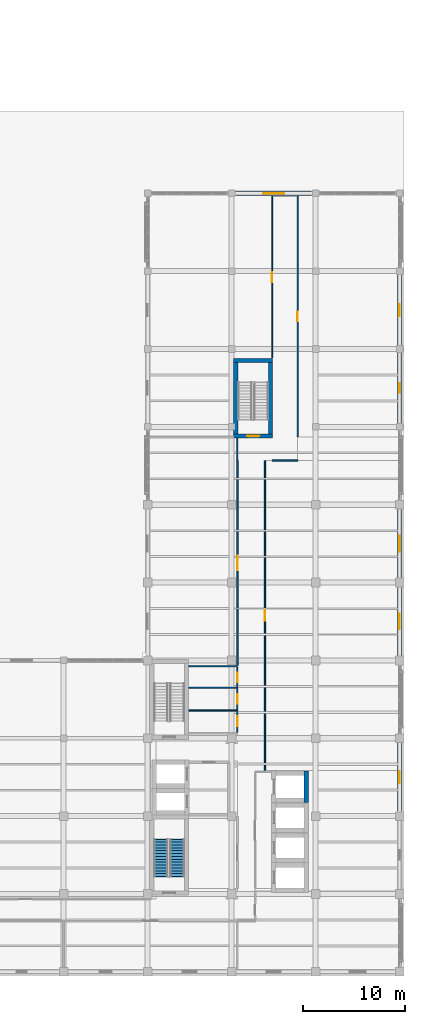
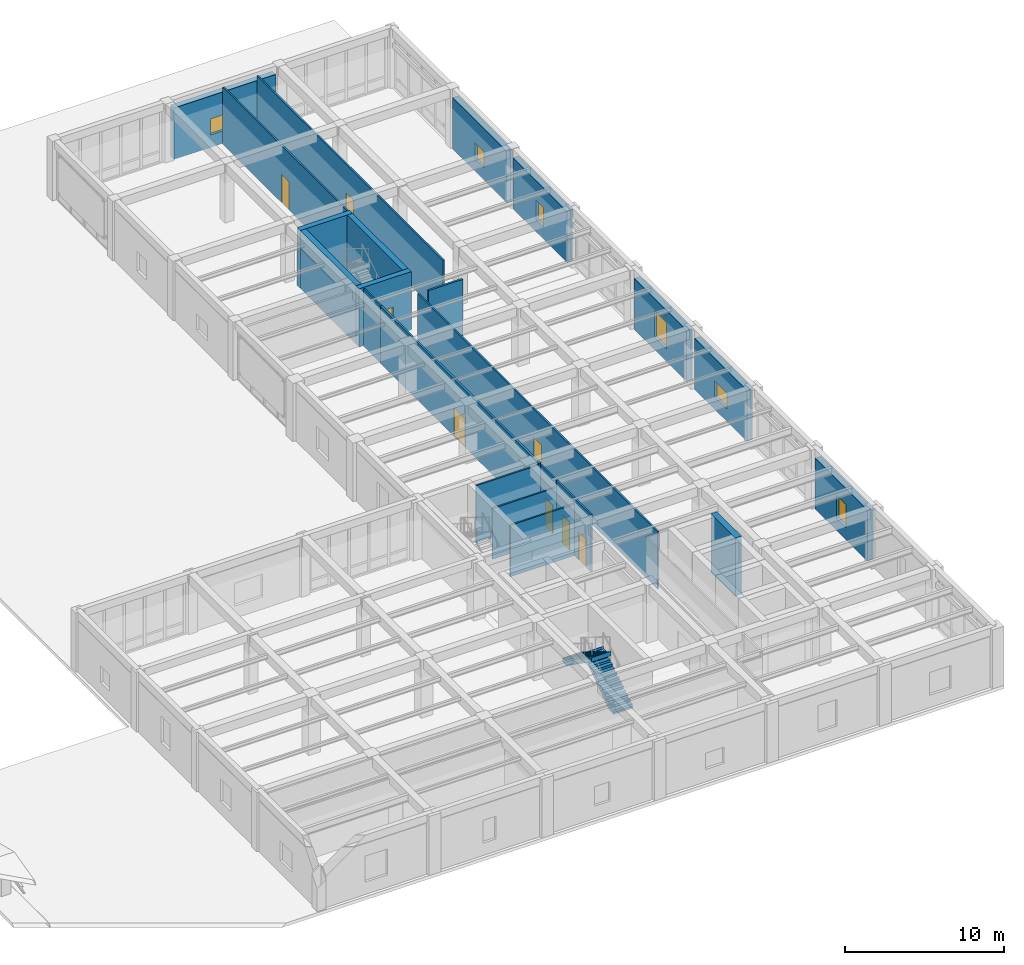
# One storey, part 17 of 23: 23 walls, 8 doors, 6 windows, 2 stair flights, 14 openings, 1 element without a shape of its own.
"""IFC4 building model written with IfcOpenShell, lengths in metres."""

from ifc_helpers import new_model, si_unit, direction, frame, frame_2d, origin, place, context, subcontext, project, spatial, polyline, rectangle, outline, extrude, material, layer, layer_set, type_object, element, fill, aggregate, save


model = new_model("IFC4")

# Units and contexts
model_context = context("Model", 3, precision=1e-05, world=origin(), true_north=direction((0.0, 1.0)))
body_context = subcontext(model_context, "Body", "Model", "MODEL_VIEW")
ifc_project = project(units=[si_unit("LENGTHUNIT", "METRE"), si_unit("AREAUNIT", "SQUARE_METRE"), si_unit("VOLUMEUNIT", "CUBIC_METRE"), si_unit("PLANEANGLEUNIT", "RADIAN"), si_unit("MASSUNIT", "GRAM", prefix="KILO")], contexts=[model_context])

# Site, building, storey
site_placement = place(None, origin())
site = spatial("IfcSite", under=ifc_project, at=site_placement, CompositionType="ELEMENT")
building_placement = place(site_placement, origin())
building = spatial("IfcBuilding", under=site, at=building_placement, Name="Qandaris Square Conservatory and Botanical Centre", CompositionType="ELEMENT")
storey_placement = place(building_placement, frame((0.0, 0.0, 15.0)))
storey = spatial("IfcBuildingStorey", under=building, at=storey_placement, Name="L03", CompositionType="ELEMENT", Elevation=15.0)

# Wall
ifc_material_1 = material(Name="Gypsum Plasterboard", Category="gypsum")
ifc_layer_1 = layer(ifc_material_1, 0.14990234375)
ifc_layer_set_1 = layer_set([ifc_layer_1], Name="Gypsum Plasterboard")
wall_type_1 = type_object("IfcWallType", Name="Acoustic Laboratory Partition 150mm", PredefinedType="PARTITIONING", material=ifc_layer_set_1)
wall_1_placement = place(storey_placement, frame((153.85009765625, 66.5, 0.0), z_axis=(0.0, 0.0, 1.0), x_axis=(-1.0, 0.0, 0.0)))
element("IfcWall", 1, at=wall_1_placement, inside=storey, type_object=wall_type_1, Name="Interior Partition IW-L03-0179", PredefinedType="PARTITIONING", context=body_context, shape_type="SweptSolid", body=[
    extrude(rectangle(XDim=2.5, YDim=0.14990234375, at=frame_2d((1.25, 0.0))), origin(), (0.0, 0.0, 1.0), 4.405029296875),
])

# Wall, opening, door
wall_2_placement = place(storey_placement, frame((147.949951171875, 46.510009765625, 0.0), z_axis=(0.0, 0.0, 1.0), x_axis=(0.0, 1.0, 0.0)))
wall_2 = element("IfcWall", 2, at=wall_2_placement, inside=storey, type_object=wall_type_1, Name="Interior Partition IW-L03-0181", PredefinedType="PARTITIONING", context=body_context, shape_type="SweptSolid", body=[
    extrude(rectangle(XDim=19.989990234375, YDim=0.14990234375, at=frame_2d((9.9951171875, 0.0))), origin(), (0.0, 0.0, 1.0), 4.405029296875),
])
opening_1_placement = place(wall_2_placement, frame((9.294921875, 0.0, 0.0)))
opening_1 = element("IfcOpeningElement", 3, at=opening_1_placement, cuts=wall_2, Name="Opening D-LAB1", PredefinedType="OPENING", context=body_context, shape_type="SweptSolid", body=[
    extrude(rectangle(XDim=1.39990234375, YDim=2.199951171875, at=frame_2d((0.699951171875, 1.10009765625))), frame((0.0, 0.0869140625, 0.0), z_axis=(0.0, -1.0, 0.0), x_axis=(1.0, 0.0, 0.0)), (0.0, 0.0, 1.0), 0.173828125),
])
ifc_material_2 = material(Name="Engineered Oak Timber", Category="wood")
door_type_1 = type_object("IfcDoorType", Name="Research Laboratory Leaf-and-Half Door 1400x2200", OperationType="DOUBLE_DOOR_SINGLE_SWING", PredefinedType="DOOR", material=ifc_material_2)
door_1_placement = place(opening_1_placement, frame((1.39990234375, 0.0, 0.0), z_axis=(0.0, 0.0, 1.0), x_axis=(-1.0, 0.0, 0.0)))
door_1 = element("IfcDoor", 4, at=door_1_placement, inside=storey, type_object=door_type_1, Name="DR-0154 Media Preparation and Autoclave Room Door", OperationType="DOUBLE_DOOR_SINGLE_SWING", OverallHeight=2.199951171875, OverallWidth=1.39990234375, PredefinedType="DOOR", context=body_context, shape_type="SweptSolid", body=[
    extrude(rectangle(XDim=1.39990234375, YDim=2.199951171875, at=frame_2d((0.699951171875, 1.10009765625))), frame((0.0, 0.02490234375, 0.0), z_axis=(0.0, -1.0, 0.0), x_axis=(1.0, 0.0, 0.0)), (0.0, 0.0, 1.0), 0.050048828125),
])
fill(opening_1, door_1)

# Wall, opening, window
ifc_material_3 = material(Name="Concrete C40/50", Category="concrete")
ifc_layer_2 = layer(ifc_material_3, 0.419921875)
ifc_layer_set_2 = layer_set([ifc_layer_2], Name="Concrete C40/50")
wall_type_2 = type_object("IfcWallType", Name="Insulated Qatari Limestone Cavity Wall 420mm", PredefinedType="SOLIDWALL", material=ifc_layer_set_2)
wall_3_placement = place(storey_placement, frame((163.800048828125, 32.284912109375, 0.0), z_axis=(0.0, 0.0, 1.0), x_axis=(0.0, 1.0, 0.0)))
wall_3 = element("IfcWall", 5, at=wall_3_placement, inside=storey, type_object=wall_type_2, Name="Exterior Wall EW-TWR-L03-2-3", PredefinedType="SOLIDWALL", context=body_context, shape_type="SweptSolid", body=[
    extrude(rectangle(XDim=6.630126953125, YDim=0.419921875, at=frame_2d((3.31494140625, 0.0))), origin(), (0.0, 0.0, 1.0), 3.929931640625),
])
opening_2_placement = place(wall_3_placement, frame((2.739990234375, 0.0, 0.949951171875)))
opening_2 = element("IfcOpeningElement", 6, at=opening_2_placement, cuts=wall_3, Name="Opening WN-19", PredefinedType="OPENING", context=body_context, shape_type="SweptSolid", body=[
    extrude(rectangle(XDim=1.14990234375, YDim=1.75, at=frame_2d((0.574951171875, 0.875))), frame((0.0, 0.221923828125, 0.0), z_axis=(0.0, -1.0, 0.0), x_axis=(1.0, 0.0, 0.0)), (0.0, 0.0, 1.0), 0.44384765625),
])
ifc_material_4 = material(Name="Tempered Low-E Glass", Category="glass")
window_type_1 = type_object("IfcWindowType", Name="Solar Control Window 1150x1750", PartitioningType="SINGLE_PANEL", PredefinedType="WINDOW", material=ifc_material_4)
window_1_placement = place(opening_2_placement, origin())
window_1 = element("IfcWindow", 7, at=window_1_placement, inside=storey, type_object=window_type_1, Name="Window EW-TWR-L03-2-3", OverallHeight=1.75, OverallWidth=1.14990234375, PartitioningType="SINGLE_PANEL", PredefinedType="WINDOW", context=body_context, shape_type="SweptSolid", body=[
    extrude(rectangle(XDim=1.14990234375, YDim=1.75, at=frame_2d((0.574951171875, 0.875))), frame((0.0, 0.030029296875, 0.0), z_axis=(0.0, -1.0, 0.0), x_axis=(1.0, 0.0, 0.0)), (0.0, 0.0, 1.0), 0.06005859375),
])
fill(opening_2, window_1)

wall_4_placement = place(storey_placement, frame((163.800048828125, 47.485107421875, 0.0), z_axis=(0.0, 0.0, 1.0), x_axis=(0.0, 1.0, 0.0)))
wall_4 = element("IfcWall", 8, at=wall_4_placement, inside=storey, type_object=wall_type_2, Name="Exterior Wall EW-TWR-L03-2-5", PredefinedType="SOLIDWALL", context=body_context, shape_type="SweptSolid", body=[
    extrude(rectangle(XDim=6.6298828125, YDim=0.419921875, at=frame_2d((3.31494140625, 0.0))), origin(), (0.0, 0.0, 1.0), 3.929931640625),
])
opening_3_placement = place(wall_4_placement, frame((2.5400390625, 0.0, 0.949951171875)))
opening_3 = element("IfcOpeningElement", 9, at=opening_3_placement, cuts=wall_4, Name="Opening WN-25", PredefinedType="OPENING", context=body_context, shape_type="SweptSolid", body=[
    extrude(rectangle(XDim=1.550048828125, YDim=1.25, at=frame_2d((0.77490234375, 0.625))), frame((0.0, 0.221923828125, 0.0), z_axis=(0.0, -1.0, 0.0), x_axis=(1.0, 0.0, 0.0)), (0.0, 0.0, 1.0), 0.44384765625),
])
window_type_2 = type_object("IfcWindowType", Name="Solar Control Window 1550x1250", PartitioningType="DOUBLE_PANEL_VERTICAL", PredefinedType="WINDOW", material=ifc_material_4)
window_2_placement = place(opening_3_placement, origin())
window_2 = element("IfcWindow", 10, at=window_2_placement, inside=storey, type_object=window_type_2, Name="Window EW-TWR-L03-2-5", OverallHeight=1.25, OverallWidth=1.550048828125, PartitioningType="DOUBLE_PANEL_VERTICAL", PredefinedType="WINDOW", context=body_context, shape_type="SweptSolid", body=[
    extrude(rectangle(XDim=1.550048828125, YDim=1.25, at=frame_2d((0.77490234375, 0.625))), frame((0.0, 0.030029296875, 0.0), z_axis=(0.0, -1.0, 0.0), x_axis=(1.0, 0.0, 0.0)), (0.0, 0.0, 1.0), 0.06005859375),
])
fill(opening_3, window_2)

wall_5_placement = place(storey_placement, frame((163.800048828125, 55.0849609375, 0.0), z_axis=(0.0, 0.0, 1.0), x_axis=(0.0, 1.0, 0.0)))
wall_5 = element("IfcWall", 11, at=wall_5_placement, inside=storey, type_object=wall_type_2, Name="Exterior Wall EW-TWR-L03-2-6", PredefinedType="SOLIDWALL", context=body_context, shape_type="SweptSolid", body=[
    extrude(rectangle(XDim=6.630126953125, YDim=0.419921875, at=frame_2d((3.31494140625, 0.0))), origin(), (0.0, 0.0, 1.0), 3.929931640625),
])
opening_4_placement = place(wall_5_placement, frame((2.5400390625, 0.0, 0.949951171875)))
opening_4 = element("IfcOpeningElement", 12, at=opening_4_placement, cuts=wall_5, Name="Opening WN-28", PredefinedType="OPENING", context=body_context, shape_type="SweptSolid", body=[
    extrude(rectangle(XDim=1.550048828125, YDim=2.050048828125, at=frame_2d((0.77490234375, 1.02490234375))), frame((0.0, 0.221923828125, 0.0), z_axis=(0.0, -1.0, 0.0), x_axis=(1.0, 0.0, 0.0)), (0.0, 0.0, 1.0), 0.44384765625),
])
window_type_3 = type_object("IfcWindowType", Name="Solar Control Window 1550x2050", PartitioningType="DOUBLE_PANEL_VERTICAL", PredefinedType="WINDOW", material=ifc_material_4)
window_3_placement = place(opening_4_placement, origin())
window_3 = element("IfcWindow", 13, at=window_3_placement, inside=storey, type_object=window_type_3, Name="Window EW-TWR-L03-2-6", OverallHeight=2.050048828125, OverallWidth=1.550048828125, PartitioningType="DOUBLE_PANEL_VERTICAL", PredefinedType="WINDOW", context=body_context, shape_type="SweptSolid", body=[
    extrude(rectangle(XDim=1.550048828125, YDim=2.050048828125, at=frame_2d((0.77490234375, 1.02490234375))), frame((0.0, 0.030029296875, 0.0), z_axis=(0.0, -1.0, 0.0), x_axis=(1.0, 0.0, 0.0)), (0.0, 0.0, 1.0), 0.06005859375),
])
fill(opening_4, window_3)

wall_6_placement = place(storey_placement, frame((163.800048828125, 70.18505859375, 0.0), z_axis=(0.0, 0.0, 1.0), x_axis=(0.0, 1.0, 0.0)))
wall_6 = element("IfcWall", 14, at=wall_6_placement, inside=storey, type_object=wall_type_2, Name="Exterior Wall EW-TWR-L03-2-8", PredefinedType="SOLIDWALL", context=body_context, shape_type="SweptSolid", body=[
    extrude(rectangle(XDim=6.829833984375, YDim=0.419921875, at=frame_2d((3.4150390625, 0.0))), origin(), (0.0, 0.0, 1.0), 3.929931640625),
])
opening_5_placement = place(wall_6_placement, frame((2.93994140625, 0.0, 0.949951171875)))
opening_5 = element("IfcOpeningElement", 15, at=opening_5_placement, cuts=wall_6, Name="Opening WN-14", PredefinedType="OPENING", context=body_context, shape_type="SweptSolid", body=[
    extrude(rectangle(XDim=0.949951171875, YDim=1.5, at=frame_2d((0.47509765625, 0.75))), frame((0.0, 0.221923828125, 0.0), z_axis=(0.0, -1.0, 0.0), x_axis=(1.0, 0.0, 0.0)), (0.0, 0.0, 1.0), 0.44384765625),
])
window_type_4 = type_object("IfcWindowType", Name="Solar Control Window 950x1500", PartitioningType="SINGLE_PANEL", PredefinedType="WINDOW", material=ifc_material_4)
window_4_placement = place(opening_5_placement, origin())
window_4 = element("IfcWindow", 16, at=window_4_placement, inside=storey, type_object=window_type_4, Name="Window EW-TWR-L03-2-8", OverallHeight=1.5, OverallWidth=0.949951171875, PartitioningType="SINGLE_PANEL", PredefinedType="WINDOW", context=body_context, shape_type="SweptSolid", body=[
    extrude(rectangle(XDim=0.949951171875, YDim=1.5, at=frame_2d((0.47509765625, 0.75))), frame((0.0, 0.030029296875, 0.0), z_axis=(0.0, -1.0, 0.0), x_axis=(1.0, 0.0, 0.0)), (0.0, 0.0, 1.0), 0.06005859375),
])
fill(opening_5, window_4)

wall_7_placement = place(storey_placement, frame((163.800048828125, 77.784912109375, 0.0), z_axis=(0.0, 0.0, 1.0), x_axis=(0.0, 1.0, 0.0)))
wall_7 = element("IfcWall", 17, at=wall_7_placement, inside=storey, type_object=wall_type_2, Name="Exterior Wall EW-TWR-L03-2-9", PredefinedType="SOLIDWALL", context=body_context, shape_type="SweptSolid", body=[
    extrude(rectangle(XDim=6.830078125, YDim=0.419921875, at=frame_2d((3.4150390625, 0.0))), origin(), (0.0, 0.0, 1.0), 3.955078125),
])
opening_6_placement = place(wall_7_placement, frame((2.840087890625, 0.0, 0.949951171875)))
opening_6 = element("IfcOpeningElement", 18, at=opening_6_placement, cuts=wall_7, Name="Opening WN-17", PredefinedType="OPENING", context=body_context, shape_type="SweptSolid", body=[
    extrude(rectangle(XDim=1.14990234375, YDim=1.25, at=frame_2d((0.574951171875, 0.625))), frame((0.0, 0.221923828125, 0.0), z_axis=(0.0, -1.0, 0.0), x_axis=(1.0, 0.0, 0.0)), (0.0, 0.0, 1.0), 0.44384765625),
])
window_type_5 = type_object("IfcWindowType", Name="Solar Control Window 1150x1250", PartitioningType="SINGLE_PANEL", PredefinedType="WINDOW", material=ifc_material_4)
window_5_placement = place(opening_6_placement, origin())
window_5 = element("IfcWindow", 19, at=window_5_placement, inside=storey, type_object=window_type_5, Name="Window EW-TWR-L03-2-9", OverallHeight=1.25, OverallWidth=1.14990234375, PartitioningType="SINGLE_PANEL", PredefinedType="WINDOW", context=body_context, shape_type="SweptSolid", body=[
    extrude(rectangle(XDim=1.14990234375, YDim=1.25, at=frame_2d((0.574951171875, 0.625))), frame((0.0, 0.030029296875, 0.0), z_axis=(0.0, -1.0, 0.0), x_axis=(1.0, 0.0, 0.0)), (0.0, 0.0, 1.0), 0.06005859375),
])
fill(opening_6, window_5)

wall_8_placement = place(storey_placement, frame((155.215087890625, 92.60009765625, 0.0), z_axis=(0.0, 0.0, 1.0), x_axis=(-1.0, 0.0, 0.0)))
wall_8 = element("IfcWall", 20, at=wall_8_placement, inside=storey, type_object=wall_type_2, Name="Exterior Wall EW-TWR-L03-3-2", PredefinedType="SOLIDWALL", context=body_context, shape_type="SweptSolid", body=[
    extrude(rectangle(XDim=7.43017578125, YDim=0.419921875, at=frame_2d((3.715087890625, 0.0))), origin(), (0.0, 0.0, 1.0), 3.955078125),
])
opening_7_placement = place(wall_8_placement, frame((2.68994140625, 0.0, 0.949951171875)))
opening_7 = element("IfcOpeningElement", 21, at=opening_7_placement, cuts=wall_8, Name="Opening WN-33", PredefinedType="OPENING", context=body_context, shape_type="SweptSolid", body=[
    extrude(rectangle(XDim=2.050048828125, YDim=1.25, at=frame_2d((1.02490234375, 0.625))), frame((0.0, 0.221923828125, 0.0), z_axis=(0.0, -1.0, 0.0), x_axis=(1.0, 0.0, 0.0)), (0.0, 0.0, 1.0), 0.44384765625),
])
window_type_6 = type_object("IfcWindowType", Name="Solar Control Window 2050x1250", PartitioningType="DOUBLE_PANEL_VERTICAL", PredefinedType="WINDOW", material=ifc_material_4)
window_6_placement = place(opening_7_placement, origin())
window_6 = element("IfcWindow", 22, at=window_6_placement, inside=storey, type_object=window_type_6, Name="Window EW-TWR-L03-3-2", OverallHeight=1.25, OverallWidth=2.050048828125, PartitioningType="DOUBLE_PANEL_VERTICAL", PredefinedType="WINDOW", context=body_context, shape_type="SweptSolid", body=[
    extrude(rectangle(XDim=2.050048828125, YDim=1.25, at=frame_2d((1.02490234375, 0.625))), frame((0.0, 0.030029296875, 0.0), z_axis=(0.0, -1.0, 0.0), x_axis=(1.0, 0.0, 0.0)), (0.0, 0.0, 1.0), 0.06005859375),
])
fill(opening_7, window_6)

# Wall
ifc_material_5 = material(Name="Concrete C50/60", Category="concrete")
ifc_layer_3 = layer(ifc_material_5, 0.449951171875)
ifc_layer_set_3 = layer_set([ifc_layer_3], Name="Concrete C50/60")
wall_type_3 = type_object("IfcWallType", Name="RC Coupled Core Shear Wall 450mm", PredefinedType="SHEAR", material=ifc_layer_set_3)
wall_9_placement = place(storey_placement, frame((154.675048828125, 33.110107421875, 0.0), z_axis=(0.0, 0.0, 1.0), x_axis=(0.0, 1.0, 0.0)))
element("IfcWall", 23, at=wall_9_placement, inside=storey, type_object=wall_type_3, Name="Lift GL1 Shaft Wall East (L03)", PredefinedType="SHEAR", context=body_context, shape_type="SweptSolid", body=[
    extrude(rectangle(XDim=3.099853515625, YDim=0.449951171875, at=frame_2d((1.5498046875, 0.0))), origin(), (0.0, 0.0, 1.0), 4.47998046875),
])

# Wall, opening, door
ifc_layer_4 = layer(ifc_material_5, 0.39990234375)
ifc_layer_set_4 = layer_set([ifc_layer_4], Name="Concrete C50/60")
wall_type_4 = type_object("IfcWallType", Name="RC Stair Core Shear Wall 400mm", PredefinedType="SHEAR", material=ifc_layer_set_4)
wall_10_placement = place(storey_placement, frame((147.60009765625, 68.89990234375, 0.0), z_axis=(0.0, 0.0, 1.0), x_axis=(1.0, 0.0, 0.0)))
wall_10 = element("IfcWall", 24, at=wall_10_placement, inside=storey, type_object=wall_type_4, Name="ST-3 Core Shear Wall South (L03)", PredefinedType="SHEAR", context=body_context, shape_type="SweptSolid", body=[
    extrude(rectangle(XDim=3.7998046875, YDim=0.39990234375, at=frame_2d((1.89990234375, 0.0))), origin(), (0.0, 0.0, 1.0), 4.47998046875),
])
opening_8_placement = place(wall_10_placement, frame((1.300048828125, 0.0, 0.0)))
opening_8 = element("IfcOpeningElement", 25, at=opening_8_placement, cuts=wall_10, Name="Opening D-ST1", PredefinedType="OPENING", context=body_context, shape_type="SweptSolid", body=[
    extrude(rectangle(XDim=1.199951171875, YDim=2.199951171875, at=frame_2d((0.60009765625, 1.10009765625))), frame((0.0, 0.2119140625, 0.0), z_axis=(0.0, -1.0, 0.0), x_axis=(1.0, 0.0, 0.0)), (0.0, 0.0, 1.0), 0.423828125),
])
ifc_material_6 = material(Name="Steel S355", Category="steel")
door_type_2 = type_object("IfcDoorType", Name="Exit Stair Core Fire Door 1200x2200", OperationType="NOTDEFINED", PredefinedType="DOOR", material=ifc_material_6)
door_2_placement = place(opening_8_placement, origin())
door_2 = element("IfcDoor", 26, at=door_2_placement, inside=storey, type_object=door_type_2, Name="DR-0164 ST-3 Stair Core Door (L03)", OperationType="SINGLE_SWING_LEFT", OverallHeight=2.199951171875, OverallWidth=1.199951171875, PredefinedType="DOOR", context=body_context, shape_type="SweptSolid", body=[
    extrude(rectangle(XDim=1.199951171875, YDim=2.199951171875, at=frame_2d((0.60009765625, 1.10009765625))), frame((0.0, 0.02490234375, 0.0), z_axis=(0.0, -1.0, 0.0), x_axis=(1.0, 0.0, 0.0)), (0.0, 0.0, 1.0), 0.050048828125),
])
fill(opening_8, door_2)

# Walls
wall_11_placement = place(storey_placement, frame((147.60009765625, 76.300048828125, 0.0), z_axis=(0.0, 0.0, 1.0), x_axis=(1.0, 0.0, 0.0)))
element("IfcWall", 27, at=wall_11_placement, inside=storey, type_object=wall_type_4, Name="ST-3 Core Shear Wall North (L03)", PredefinedType="SHEAR", context=body_context, shape_type="SweptSolid", body=[
    extrude(rectangle(XDim=3.7998046875, YDim=0.39990234375, at=frame_2d((1.89990234375, 0.0))), origin(), (0.0, 0.0, 1.0), 4.47998046875),
])
for number, where, z_axis, x_axis, name in (
    (28, (147.800048828125, 69.10009765625, 0.0), (0.0, 0.0, 1.0), (0.0, 1.0, 0.0), "ST-3 Core Shear Wall West (L03)"),
    (29, (151.199951171875, 69.10009765625, 0.0), (0.0, 0.0, 1.0), (0.0, 1.0, 0.0), "ST-3 Core Shear Wall East (L03)"),
):
    element("IfcWall", number, at=place(storey_placement, frame(where, z_axis=z_axis, x_axis=x_axis)), inside=storey, type_object=wall_type_4, Name=name, PredefinedType="SHEAR", context=body_context, shape_type="SweptSolid", body=[
        extrude(rectangle(XDim=7.0, YDim=0.39990234375, at=frame_2d((3.5, 0.0))), origin(), (0.0, 0.0, 1.0), 4.47998046875),
    ])
ifc_layer_5 = layer(ifc_material_1, 0.1201171875)
ifc_layer_set_5 = layer_set([ifc_layer_5], Name="Gypsum Plasterboard")
wall_type_5 = type_object("IfcWallType", Name="Standard Research Partition 120mm", PredefinedType="PARTITIONING", material=ifc_layer_set_5)
wall_12_placement = place(storey_placement, frame((143.22998046875, 46.419921875, 0.0), z_axis=(0.0, 0.0, 1.0), x_axis=(1.0, 0.0, 0.0)))
element("IfcWall", 30, at=wall_12_placement, inside=storey, type_object=wall_type_5, Name="Sanitary Toilet Partition Wall WCW-L03-NORTH1", PredefinedType="PARTITIONING", context=body_context, shape_type="SweptSolid", body=[
    extrude(rectangle(XDim=4.719970703125, YDim=0.1201171875, at=frame_2d((2.35986328125, 0.0))), origin(), (0.0, 0.0, 1.0), 4.405029296875),
])
wall_13_placement = place(storey_placement, frame((143.22998046875, 42.1201171875, 0.0), z_axis=(0.0, 0.0, 1.0), x_axis=(1.0, 0.0, 0.0)))
element("IfcWall", 31, at=wall_13_placement, inside=storey, type_object=wall_type_5, Name="Interior Partition IW-L03-0168", PredefinedType="PARTITIONING", context=body_context, shape_type="SweptSolid", body=[
    extrude(rectangle(XDim=4.719970703125, YDim=0.1201171875, at=frame_2d((2.35986328125, 0.0))), origin(), (0.0, 0.0, 1.0), 3.955078125),
])

# Wall, opening, door
wall_14_placement = place(storey_placement, frame((147.949951171875, 42.1201171875, 0.0), z_axis=(0.0, 0.0, 1.0), x_axis=(0.0, -1.0, 0.0)))
wall_14 = element("IfcWall", 32, at=wall_14_placement, inside=storey, type_object=wall_type_5, Name="Interior Partition IW-L03-0169", PredefinedType="PARTITIONING", context=body_context, shape_type="SweptSolid", body=[
    extrude(rectangle(XDim=2.130126953125, YDim=0.1201171875, at=frame_2d((1.06494140625, 0.0))), origin(), (0.0, 0.0, 1.0), 4.405029296875),
])
opening_9_placement = place(wall_14_placement, frame((0.590087890625, 0.0, 0.0)))
opening_9 = element("IfcOpeningElement", 33, at=opening_9_placement, cuts=wall_14, Name="Opening D-WC1", PredefinedType="OPENING", context=body_context, shape_type="SweptSolid", body=[
    extrude(rectangle(XDim=0.949951171875, YDim=2.14990234375, at=frame_2d((0.47509765625, 1.074951171875))), frame((0.0, 0.072021484375, 0.0), z_axis=(0.0, -1.0, 0.0), x_axis=(1.0, 0.0, 0.0)), (0.0, 0.0, 1.0), 0.14404296875),
])
door_type_3 = type_object("IfcDoorType", Name="Accessible Sanitary Room Door 950x2150", OperationType="NOTDEFINED", PredefinedType="DOOR", material=ifc_material_2)
door_3_placement = place(opening_9_placement, origin())
door_3 = element("IfcDoor", 34, at=door_3_placement, inside=storey, type_object=door_type_3, Name="DR-0165 Accessible Toilet L03 Door", OperationType="SINGLE_SWING_RIGHT", OverallHeight=2.14990234375, OverallWidth=0.949951171875, PredefinedType="DOOR", context=body_context, shape_type="SweptSolid", body=[
    extrude(rectangle(XDim=0.949951171875, YDim=2.14990234375, at=frame_2d((0.47509765625, 1.074951171875))), frame((0.0, 0.02490234375, 0.0), z_axis=(0.0, -1.0, 0.0), x_axis=(1.0, 0.0, 0.0)), (0.0, 0.0, 1.0), 0.050048828125),
])
fill(opening_9, door_3)

# Wall
wall_15_placement = place(storey_placement, frame((143.22998046875, 44.340087890625, 0.0), z_axis=(0.0, 0.0, 1.0), x_axis=(1.0, 0.0, 0.0)))
element("IfcWall", 35, at=wall_15_placement, inside=storey, type_object=wall_type_5, Name="Interior Partition IW-L03-0170", PredefinedType="PARTITIONING", context=body_context, shape_type="SweptSolid", body=[
    extrude(rectangle(XDim=4.719970703125, YDim=0.1201171875, at=frame_2d((2.35986328125, 0.0))), origin(), (0.0, 0.0, 1.0), 3.905029296875),
])

# Wall, opening, door
wall_16_placement = place(storey_placement, frame((147.949951171875, 44.340087890625, 0.0), z_axis=(0.0, 0.0, 1.0), x_axis=(0.0, -1.0, 0.0)))
wall_16 = element("IfcWall", 36, at=wall_16_placement, inside=storey, type_object=wall_type_5, Name="Interior Partition IW-L03-0171", PredefinedType="PARTITIONING", context=body_context, shape_type="SweptSolid", body=[
    extrude(rectangle(XDim=2.219970703125, YDim=0.1201171875, at=frame_2d((1.10986328125, 0.0))), origin(), (0.0, 0.0, 1.0), 4.405029296875),
])
opening_10_placement = place(wall_16_placement, frame((0.635009765625, 0.0, 0.0)))
opening_10 = element("IfcOpeningElement", 37, at=opening_10_placement, cuts=wall_16, Name="Opening D-WC1", PredefinedType="OPENING", context=body_context, shape_type="SweptSolid", body=[
    extrude(rectangle(XDim=0.949951171875, YDim=2.14990234375, at=frame_2d((0.47509765625, 1.074951171875))), frame((0.0, 0.072021484375, 0.0), z_axis=(0.0, -1.0, 0.0), x_axis=(1.0, 0.0, 0.0)), (0.0, 0.0, 1.0), 0.14404296875),
])
door_4_placement = place(opening_10_placement, origin())
door_4 = element("IfcDoor", 38, at=door_4_placement, inside=storey, type_object=door_type_3, Name="DR-0166 Staff Male Toilet L03 Door", OperationType="SINGLE_SWING_LEFT", OverallHeight=2.14990234375, OverallWidth=0.949951171875, PredefinedType="DOOR", context=body_context, shape_type="SweptSolid", body=[
    extrude(rectangle(XDim=0.949951171875, YDim=2.14990234375, at=frame_2d((0.47509765625, 1.074951171875))), frame((0.0, 0.02490234375, 0.0), z_axis=(0.0, -1.0, 0.0), x_axis=(1.0, 0.0, 0.0)), (0.0, 0.0, 1.0), 0.050048828125),
])
fill(opening_10, door_4)

wall_17_placement = place(storey_placement, frame((147.949951171875, 46.330078125, 0.0), z_axis=(0.0, 0.0, 1.0), x_axis=(0.0, -1.0, 0.0)))
wall_17 = element("IfcWall", 39, at=wall_17_placement, inside=storey, type_object=wall_type_5, Name="Interior Partition IW-L03-0172", PredefinedType="PARTITIONING", context=body_context, shape_type="SweptSolid", body=[
    extrude(rectangle(XDim=1.989990234375, YDim=0.1201171875, at=frame_2d((0.9951171875, 0.0))), origin(), (0.0, 0.0, 1.0), 4.405029296875),
])
opening_11_placement = place(wall_17_placement, frame((0.52001953125, 0.0, 0.0)))
opening_11 = element("IfcOpeningElement", 40, at=opening_11_placement, cuts=wall_17, Name="Opening D-WC1", PredefinedType="OPENING", context=body_context, shape_type="SweptSolid", body=[
    extrude(rectangle(XDim=0.949951171875, YDim=2.14990234375, at=frame_2d((0.47509765625, 1.074951171875))), frame((0.0, 0.072021484375, 0.0), z_axis=(0.0, -1.0, 0.0), x_axis=(1.0, 0.0, 0.0)), (0.0, 0.0, 1.0), 0.14404296875),
])
door_5_placement = place(opening_11_placement, frame((0.949951171875, 0.0, 0.0), z_axis=(0.0, 0.0, 1.0), x_axis=(-1.0, 0.0, 0.0)))
door_5 = element("IfcDoor", 41, at=door_5_placement, inside=storey, type_object=door_type_3, Name="DR-0167 Staff Female Toilet L03 Door", OperationType="SINGLE_SWING_RIGHT", OverallHeight=2.14990234375, OverallWidth=0.949951171875, PredefinedType="DOOR", context=body_context, shape_type="SweptSolid", body=[
    extrude(rectangle(XDim=0.949951171875, YDim=2.14990234375, at=frame_2d((0.47509765625, 1.074951171875))), frame((0.0, 0.02490234375, 0.0), z_axis=(0.0, -1.0, 0.0), x_axis=(1.0, 0.0, 0.0)), (0.0, 0.0, 1.0), 0.050048828125),
])
fill(opening_11, door_5)

wall_18_placement = place(storey_placement, frame((150.64990234375, 66.5, 0.0), z_axis=(0.0, 0.0, 1.0), x_axis=(0.0, -1.0, 0.0)))
wall_18 = element("IfcWall", 42, at=wall_18_placement, inside=storey, type_object=wall_type_5, Name="Interior Partition IW-L03-0180", PredefinedType="PARTITIONING", context=body_context, shape_type="SweptSolid", body=[
    extrude(rectangle(XDim=30.25, YDim=0.1201171875, at=frame_2d((15.125, 0.0))), origin(), (0.0, 0.0, 1.0), 4.405029296875),
])
opening_12_placement = place(wall_18_placement, frame((14.60009765625, 0.0, 0.0)))
opening_12 = element("IfcOpeningElement", 43, at=opening_12_placement, cuts=wall_18, Name="Opening D-LAB2", PredefinedType="OPENING", context=body_context, shape_type="SweptSolid", body=[
    extrude(rectangle(XDim=1.050048828125, YDim=2.199951171875, at=frame_2d((0.52490234375, 1.10009765625))), frame((0.0, 0.072021484375, 0.0), z_axis=(0.0, -1.0, 0.0), x_axis=(1.0, 0.0, 0.0)), (0.0, 0.0, 1.0), 0.14404296875),
])
door_type_4 = type_object("IfcDoorType", Name="Analytical Laboratory Single Door 1050x2200", OperationType="NOTDEFINED", PredefinedType="DOOR", material=ifc_material_2)
door_6_placement = place(opening_12_placement, origin())
door_6 = element("IfcDoor", 44, at=door_6_placement, inside=storey, type_object=door_type_4, Name="DR-0157 Phytochemistry Extraction Laboratory Door", OperationType="SINGLE_SWING_RIGHT", OverallHeight=2.199951171875, OverallWidth=1.050048828125, PredefinedType="DOOR", context=body_context, shape_type="SweptSolid", body=[
    extrude(rectangle(XDim=1.050048828125, YDim=2.199951171875, at=frame_2d((0.52490234375, 1.10009765625))), frame((0.0, 0.02490234375, 0.0), z_axis=(0.0, -1.0, 0.0), x_axis=(1.0, 0.0, 0.0)), (0.0, 0.0, 1.0), 0.050048828125),
])
fill(opening_12, door_6)

# Wall
wall_19_placement = place(storey_placement, frame((147.949951171875, 66.5, 0.0), z_axis=(0.0, 0.0, 1.0), x_axis=(0.0, 1.0, 0.0)))
element("IfcWall", 45, at=wall_19_placement, inside=storey, type_object=wall_type_5, Name="Interior Partition IW-L03-0182", PredefinedType="PARTITIONING", context=body_context, shape_type="SweptSolid", body=[
    extrude(rectangle(XDim=2.169921875, YDim=0.1201171875, at=frame_2d((1.0849609375, 0.0))), origin(), (0.0, 0.0, 1.0), 4.405029296875),
])

# Wall, opening, door
wall_20_placement = place(storey_placement, frame((151.35009765625, 76.530029296875, 0.0), z_axis=(0.0, 0.0, 1.0), x_axis=(0.0, 1.0, 0.0)))
wall_20 = element("IfcWall", 46, at=wall_20_placement, inside=storey, type_object=wall_type_5, Name="Interior Partition IW-L03-0183", PredefinedType="PARTITIONING", context=body_context, shape_type="SweptSolid", body=[
    extrude(rectangle(XDim=15.77001953125, YDim=0.1201171875, at=frame_2d((7.885009765625, 0.0))), origin(), (0.0, 0.0, 1.0), 4.405029296875),
])
opening_13_placement = place(wall_20_placement, frame((7.409912109375, 0.0, 0.0)))
opening_13 = element("IfcOpeningElement", 47, at=opening_13_placement, cuts=wall_20, Name="Opening D-OFF1", PredefinedType="OPENING", context=body_context, shape_type="SweptSolid", body=[
    extrude(rectangle(XDim=0.949951171875, YDim=2.199951171875, at=frame_2d((0.47509765625, 1.10009765625))), frame((0.0, 0.072021484375, 0.0), z_axis=(0.0, -1.0, 0.0), x_axis=(1.0, 0.0, 0.0)), (0.0, 0.0, 1.0), 0.14404296875),
])
door_type_5 = type_object("IfcDoorType", Name="Research Office Acoustic Door 950x2200", OperationType="NOTDEFINED", PredefinedType="DOOR", material=ifc_material_2)
door_7_placement = place(opening_13_placement, origin())
door_7 = element("IfcDoor", 48, at=door_7_placement, inside=storey, type_object=door_type_5, Name="DR-0159 Research Colloquium Room Door", OperationType="SINGLE_SWING_LEFT", OverallHeight=2.199951171875, OverallWidth=0.949951171875, PredefinedType="DOOR", context=body_context, shape_type="SweptSolid", body=[
    extrude(rectangle(XDim=0.949951171875, YDim=2.199951171875, at=frame_2d((0.47509765625, 1.10009765625))), frame((0.0, 0.02490234375, 0.0), z_axis=(0.0, -1.0, 0.0), x_axis=(1.0, 0.0, 0.0)), (0.0, 0.0, 1.0), 0.050048828125),
])
fill(opening_13, door_7)

wall_21_placement = place(storey_placement, frame((153.85009765625, 92.300048828125, 0.0), z_axis=(0.0, 0.0, 1.0), x_axis=(0.0, -1.0, 0.0)))
wall_21 = element("IfcWall", 49, at=wall_21_placement, inside=storey, type_object=wall_type_5, Name="Interior Partition IW-L03-0184", PredefinedType="PARTITIONING", context=body_context, shape_type="SweptSolid", body=[
    extrude(rectangle(XDim=23.449951171875, YDim=0.1201171875, at=frame_2d((11.72509765625, 0.0))), origin(), (0.0, 0.0, 1.0), 4.405029296875),
])
opening_14_placement = place(wall_21_placement, frame((11.25, 0.0, 0.0)))
opening_14 = element("IfcOpeningElement", 50, at=opening_14_placement, cuts=wall_21, Name="Opening D-OFF1", PredefinedType="OPENING", context=body_context, shape_type="SweptSolid", body=[
    extrude(rectangle(XDim=0.949951171875, YDim=2.199951171875, at=frame_2d((0.47509765625, 1.10009765625))), frame((0.0, 0.072021484375, 0.0), z_axis=(0.0, -1.0, 0.0), x_axis=(1.0, 0.0, 0.0)), (0.0, 0.0, 1.0), 0.14404296875),
])
door_8_placement = place(opening_14_placement, frame((0.949951171875, 0.0, 0.0), z_axis=(0.0, 0.0, 1.0), x_axis=(-1.0, 0.0, 0.0)))
door_8 = element("IfcDoor", 51, at=door_8_placement, inside=storey, type_object=door_type_5, Name="DR-0160 Postdoctoral Fellows Workspace Door", OperationType="SINGLE_SWING_RIGHT", OverallHeight=2.199951171875, OverallWidth=0.949951171875, PredefinedType="DOOR", context=body_context, shape_type="SweptSolid", body=[
    extrude(rectangle(XDim=0.949951171875, YDim=2.199951171875, at=frame_2d((0.47509765625, 1.10009765625))), frame((0.0, 0.02490234375, 0.0), z_axis=(0.0, -1.0, 0.0), x_axis=(1.0, 0.0, 0.0)), (0.0, 0.0, 1.0), 0.050048828125),
])
fill(opening_14, door_8)

# Stair, stair flights
stair_type = type_object("IfcStairType", Name="Core Escape Scissor Stair", PredefinedType="HALF_TURN_STAIR", material=ifc_material_3)
stair_placement = place(storey_placement, origin())
stair = element("IfcStair", 52, at=stair_placement, inside=storey, type_object=stair_type, Name="L03 Tower South Exit Stair ST-1", PredefinedType="HALF_TURN_STAIR")
ifc_material_7 = material(Name="Precast concrete C40/50", Category="concrete")
stair_flight_type = type_object("IfcStairFlightType", Name="RC Precast Stair Flight 1400mm", PredefinedType="STRAIGHT", material=ifc_material_7)
stair_flight_1_placement = place(storey_placement, frame((142.10009765625, 25.89990234375, 0.0), z_axis=(0.0, 0.0, 1.0), x_axis=(0.0, 1.0, 0.0)))
stair_flight_1 = element("IfcStairFlight", 53, at=stair_flight_1_placement, type_object=stair_flight_type, Name="ST-1 flight 1", NumberOfRisers=14, NumberOfTreads=13, PredefinedType="STRAIGHT", RiserHeight=0.171428571, TreadLength=0.28, context=body_context, shape_type="SweptSolid", body=[
    extrude(outline(polyline([(-0.034912109375, 0.0), (0.0, 0.0), (0.0, 0.17138671875), (0.280029296875, 0.17138671875), (0.280029296875, 0.3427734375), (0.56005859375, 0.3427734375), (0.56005859375, 0.514404296875), (0.840087890625, 0.514404296875), (0.840087890625, 0.685791015625), (1.1201171875, 0.685791015625), (1.1201171875, 0.857177734375), (1.39990234375, 0.857177734375), (1.39990234375, 1.028564453125), (1.679931640625, 1.028564453125), (1.679931640625, 1.199951171875), (1.9599609375, 1.199951171875), (1.9599609375, 1.371337890625), (2.239990234375, 1.371337890625), (2.239990234375, 1.54296875), (2.52001953125, 1.54296875), (2.52001953125, 1.71435546875), (2.800048828125, 1.71435546875), (2.800048828125, 1.8857421875), (3.080078125, 1.8857421875), (3.080078125, 2.05712890625), (3.360107421875, 2.05712890625), (3.360107421875, 2.228515625), (3.639892578125, 2.228515625), (3.639892578125, 2.39990234375), (3.6748046875, 2.39990234375), (3.6748046875, 2.052734375), (3.639892578125, 2.052734375), (0.515869140625, -0.139892578125), (-0.034912109375, -0.139892578125), (-0.034912109375, 0.0)])), frame((0.0, 0.699951171875, 0.0), z_axis=(0.0, -1.0, 0.0), x_axis=(1.0, 0.0, 0.0)), (0.0, 0.0, 1.0), 1.39990234375),
])
stair_flight_2_placement = place(storey_placement, frame((140.5, 29.5400390625, 2.39990234375), z_axis=(0.0, 0.0, 1.0), x_axis=(0.0, -1.0, 0.0)))
stair_flight_2 = element("IfcStairFlight", 54, at=stair_flight_2_placement, type_object=stair_flight_type, Name="ST-1 flight 2", NumberOfRisers=14, NumberOfTreads=13, PredefinedType="STRAIGHT", RiserHeight=0.171428571, TreadLength=0.28, context=body_context, shape_type="SweptSolid", body=[
    extrude(outline(polyline([(-0.034912109375, 0.0), (0.0, 0.0), (0.0, 0.17138671875), (0.280029296875, 0.17138671875), (0.280029296875, 0.3427734375), (0.56005859375, 0.3427734375), (0.56005859375, 0.514404296875), (0.840087890625, 0.514404296875), (0.840087890625, 0.685791015625), (1.1201171875, 0.685791015625), (1.1201171875, 0.857177734375), (1.39990234375, 0.857177734375), (1.39990234375, 1.028564453125), (1.679931640625, 1.028564453125), (1.679931640625, 1.199951171875), (1.9599609375, 1.199951171875), (1.9599609375, 1.371337890625), (2.239990234375, 1.371337890625), (2.239990234375, 1.54296875), (2.52001953125, 1.54296875), (2.52001953125, 1.71435546875), (2.800048828125, 1.71435546875), (2.800048828125, 1.8857421875), (3.080078125, 1.8857421875), (3.080078125, 2.05712890625), (3.360107421875, 2.05712890625), (3.360107421875, 2.228515625), (3.639892578125, 2.228515625), (3.639892578125, 2.39990234375), (3.6748046875, 2.39990234375), (3.6748046875, 2.052734375), (3.639892578125, 2.052734375), (0.515869140625, -0.139892578125), (-0.034912109375, -0.139892578125), (-0.034912109375, 0.0)])), frame((0.0, 0.699951171875, 0.0), z_axis=(0.0, -1.0, 0.0), x_axis=(1.0, 0.0, 0.0)), (0.0, 0.0, 1.0), 1.39990234375),
])
aggregate(stair, [stair_flight_1, stair_flight_2])

save(model, "model.ifc")
